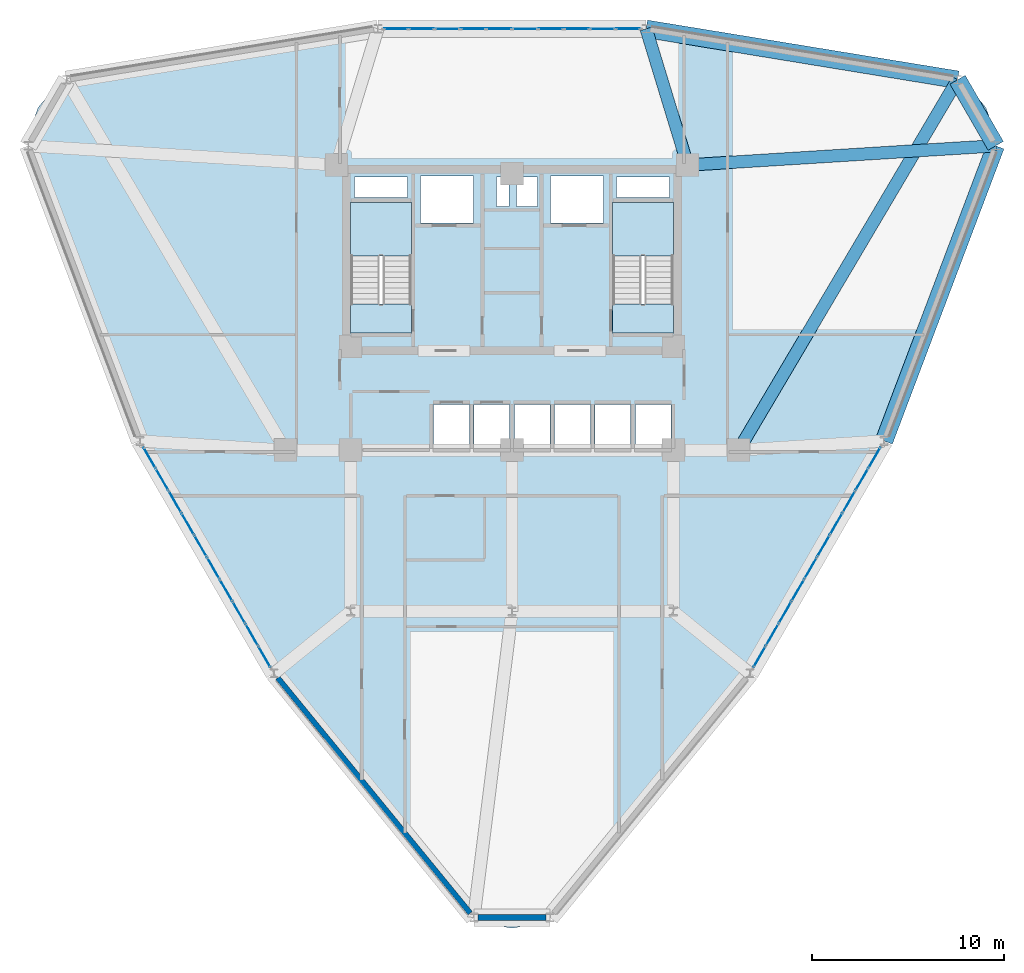
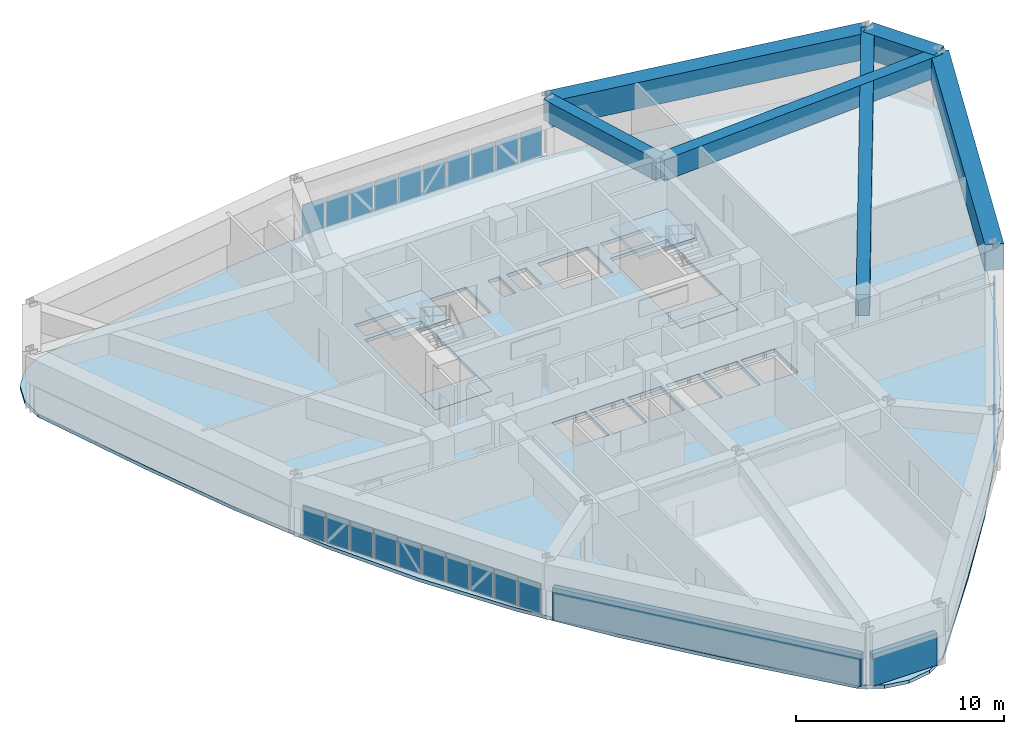
# One storey, part 9 of 15: 30 plates, 6 beams, 5 slabs, 2 walls, 5 elements without a shape of their own.
"""IFC4 building model written with IfcOpenShell, lengths in metres."""

from ifc_helpers import new_model, si_unit, derived_unit, direction, frame, frame_2d, origin, origin_2d, place, context, subcontext, project, spatial, polyline, rectangle, outline, extrude, source, transform, mapped, material, layer, layer_set, material_profile, profile_set, type_object, element, aggregate, save


model = new_model("IFC4")

# Units and contexts
model_context = context("Model", 3, precision=1e-05, world=origin(), true_north=direction((0.0, 1.0)))
body_context = subcontext(model_context, "Body", "Model", "MODEL_VIEW")
ifc_project = project(units=[si_unit("LENGTHUNIT", "METRE"), si_unit("AREAUNIT", "SQUARE_METRE"), si_unit("VOLUMEUNIT", "CUBIC_METRE"), si_unit("PLANEANGLEUNIT", "RADIAN"), si_unit("MASSUNIT", "GRAM", prefix="KILO"), derived_unit("THERMALTRANSMITTANCEUNIT", [(si_unit("POWERUNIT", "WATT"), 1), (si_unit("LENGTHUNIT", "METRE"), -2), (si_unit("THERMODYNAMICTEMPERATUREUNIT", "KELVIN"), -1)])], contexts=[model_context])

# Site, building, storey
site_placement = place(None, origin())
site = spatial("IfcSite", under=ifc_project, at=site_placement, CompositionType="ELEMENT")
building_placement = place(site_placement, origin())
building = spatial("IfcBuilding", under=site, at=building_placement, Name="Korsvarv Bourse and Concert Hall", CompositionType="ELEMENT")
storey_placement = place(building_placement, frame((0.0, 0.0, 113.39990234375)))
storey = spatial("IfcBuildingStorey", under=building, at=storey_placement, Name="L28", CompositionType="ELEMENT", Elevation=113.39990234375)

# Beams
ifc_material_1 = material(Name="Concrete C50/60", Category="concrete")
ifc_material_profile_1 = material_profile(ifc_material_1, rectangle(XDim=0.919921875, YDim=1.530029296875, at=origin_2d()), Name="RC-BM 920x1530")
ifc_profile_set_1 = profile_set([ifc_material_profile_1], Name="Concrete C50/60")
beam_type_1 = type_object("IfcBeamType", Name="BM-TR-154", PredefinedType="BEAM", material=ifc_profile_set_1)
shared_shape_1 = source(origin(), body_context, "Body", "SweptSolid", [
    extrude(rectangle(XDim=0.919921875, YDim=1.530029296875, at=origin_2d()), origin(), (0.0, 0.0, 1.0), 3.974609375),
])
beam_1_placement = place(storey_placement, frame((61.19482421875, 48.25146484375, 2.635009765625), z_axis=(-0.499997169302, 0.866027038082, 0.0), x_axis=(-0.866027038082, -0.499997169302, 0.0)))
element("IfcBeam", 1, at=beam_1_placement, inside=storey, type_object=beam_type_1, Name="L28 beam B-TR6", PredefinedType="BEAM", context=body_context, shape_type="MappedRepresentation", body=[
    mapped(shared_shape_1, transform((0.0, 0.0, 0.0), scale=1.0)),
])
shared_shape_2 = source(origin(), body_context, "Body", "SweptSolid", [
    extrude(rectangle(XDim=0.919921875, YDim=1.530029296875, at=origin_2d()), origin(), (0.0, 0.0, 1.0), 16.4345703125),
])
beam_2_placement = place(storey_placement, frame((59.20751953125, 51.693603515625, 2.635009765625), z_axis=(-0.986905771887, 0.161297853107, 0.0), x_axis=(-0.161297853107, -0.986905771887, 0.0)))
element("IfcBeam", 2, at=beam_2_placement, inside=storey, type_object=beam_type_1, Name="L28 beam B-TR6", PredefinedType="BEAM", context=body_context, shape_type="MappedRepresentation", body=[
    mapped(shared_shape_2, transform((0.0, 0.0, 0.0), scale=1.0)),
])
shared_shape_3 = source(origin(), body_context, "Body", "SweptSolid", [
    extrude(rectangle(XDim=0.919921875, YDim=1.530029296875, at=origin_2d()), origin(), (0.0, 0.0, 1.0), 16.434814453125),
])
beam_3_placement = place(storey_placement, frame((55.380859375, 32.87939453125, 2.635009765625), z_axis=(0.353759337672, 0.935336480102, 0.0), x_axis=(-0.935336480102, 0.353759337672, 0.0)))
element("IfcBeam", 3, at=beam_3_placement, inside=storey, type_object=beam_type_1, Name="L28 beam B-TR6", PredefinedType="BEAM", context=body_context, shape_type="MappedRepresentation", body=[
    mapped(shared_shape_3, transform((0.0, 0.0, 0.0), scale=1.0)),
])
ifc_material_profile_2 = material_profile(ifc_material_1, rectangle(XDim=0.64990234375, YDim=1.239990234375, at=origin_2d()), Name="RC-BM 650x1240")
ifc_profile_set_2 = profile_set([ifc_material_profile_2], Name="Concrete C50/60")
beam_type_2 = type_object("IfcBeamType", Name="BM-TR-SPN", PredefinedType="BEAM", material=ifc_profile_set_2)
shared_shape_4 = source(origin(), body_context, "Body", "SweptSolid", [
    extrude(rectangle(XDim=0.64990234375, YDim=1.239990234375, at=origin_2d()), origin(), (0.0, 0.0, 1.0), 16.076171875),
])
beam_4_placement = place(storey_placement, frame((61.19482421875, 48.25146484375, 2.780029296875), z_axis=(-0.998057775067, -0.062295085108, 0.0), x_axis=(0.062295085108, -0.998057775067, 0.0)))
element("IfcBeam", 4, at=beam_4_placement, inside=storey, type_object=beam_type_2, Name="L28 beam B-TRS", PredefinedType="BEAM", context=body_context, shape_type="MappedRepresentation", body=[
    mapped(shared_shape_4, transform((0.0, 0.0, 0.0), scale=1.0)),
])
shared_shape_5 = source(origin(), body_context, "Body", "SweptSolid", [
    extrude(rectangle(XDim=0.64990234375, YDim=1.239990234375, at=origin_2d()), origin(), (0.0, 0.0, 1.0), 22.413818359375),
])
beam_5_placement = place(storey_placement, frame((59.20751953125, 51.693603515625, 2.780029296875), z_axis=(-0.508949112593, -0.860796608259, 0.0), x_axis=(0.860796608259, -0.508949112593, 0.0)))
element("IfcBeam", 5, at=beam_5_placement, inside=storey, type_object=beam_type_2, Name="L28 beam B-TRS", PredefinedType="BEAM", context=body_context, shape_type="MappedRepresentation", body=[
    mapped(shared_shape_5, transform((0.0, 0.0, 0.0), scale=1.0)),
])
shared_shape_6 = source(origin(), body_context, "Body", "SweptSolid", [
    extrude(rectangle(XDim=0.64990234375, YDim=1.239990234375, at=origin_2d()), origin(), (0.0, 0.0, 1.0), 7.41650390625),
])
beam_6_placement = place(storey_placement, frame((42.988037109375, 54.344482421875, 2.780029296875), z_axis=(0.291491692849, -0.956573359968, 0.0), x_axis=(0.956573359968, 0.291491692849, 0.0)))
element("IfcBeam", 6, at=beam_6_placement, inside=storey, type_object=beam_type_2, Name="L28 beam B-TRS", PredefinedType="BEAM", context=body_context, shape_type="MappedRepresentation", body=[
    mapped(shared_shape_6, transform((0.0, 0.0, 0.0), scale=1.0)),
])

# Slabs
ifc_material_2 = material(Name="Precast concrete C45/55", Category="concrete")
ifc_layer_1 = layer(ifc_material_2, 0.199951171875)
ifc_layer_set_1 = layer_set([ifc_layer_1], Name="Precast concrete C45/55")
slab_type_1 = type_object("IfcSlabType", Name="SLB-FLND-T", PredefinedType="LANDING", material=ifc_layer_set_1)
slab_1_placement = place(storey_placement, frame((0.0, 0.0, -0.199951171875)))
element("IfcSlab", 7, at=slab_1_placement, inside=storey, type_object=slab_type_1, Name="L28 Stair ST-T1 Floor Landing Slab", PredefinedType="LANDING", context=body_context, shape_type="SweptSolid", body=[
    extrude(outline(polyline([(30.760009765625, 38.5), (30.760009765625, 40.0), (27.60009765625, 40.0), (27.60009765625, 38.5), (30.760009765625, 38.5)])), origin(), (0.0, 0.0, 1.0), 0.199951171875),
])
slab_2_placement = place(storey_placement, frame((0.0, 0.0, -0.199951171875)))
element("IfcSlab", 8, at=slab_2_placement, inside=storey, type_object=slab_type_1, Name="L28 Stair ST-T2 Floor Landing Slab", PredefinedType="LANDING", context=body_context, shape_type="SweptSolid", body=[
    extrude(outline(polyline([(44.39990234375, 38.5), (44.39990234375, 40.0), (41.239990234375, 40.0), (41.239990234375, 38.5), (44.39990234375, 38.5)])), origin(), (0.0, 0.0, 1.0), 0.199951171875),
])

# Stair, slab
stair_type = type_object("IfcStairType", Name="STR-TYPE-04", PredefinedType="HALF_TURN_STAIR", material=ifc_material_2)
stair_1_placement = place(storey_placement, origin())
stair_1 = element("IfcStair", 9, at=stair_1_placement, inside=storey, type_object=stair_type, Name="L28 Tower West Exit Stair ST-T1", PredefinedType="HALF_TURN_STAIR")
ifc_layer_2 = layer(ifc_material_2, 0.199951171875)
ifc_layer_set_2 = layer_set([ifc_layer_2], Name="Precast concrete C45/55")
slab_type_2 = type_object("IfcSlabType", Name="SLB-ST-LND", PredefinedType="LANDING", material=ifc_layer_set_2)
slab_3_placement = place(storey_placement, frame((0.0, 0.0, 1.60009765625)))
slab_3 = element("IfcSlab", 10, at=slab_3_placement, type_object=slab_type_2, Name="ST-T1 landing 1", PredefinedType="LANDING", context=body_context, shape_type="SweptSolid", body=[
    extrude(outline(polyline([(30.760009765625, 42.52001953125), (30.760009765625, 45.300048828125), (27.60009765625, 45.300048828125), (27.60009765625, 42.52001953125), (30.760009765625, 42.52001953125)])), origin(), (0.0, 0.0, 1.0), 0.199951171875),
])
aggregate(stair_1, [slab_3])

stair_2_placement = place(storey_placement, origin())
stair_2 = element("IfcStair", 11, at=stair_2_placement, inside=storey, type_object=stair_type, Name="L28 Tower East Exit Stair ST-T2", PredefinedType="HALF_TURN_STAIR")
slab_4_placement = place(storey_placement, frame((0.0, 0.0, 1.60009765625)))
slab_4 = element("IfcSlab", 12, at=slab_4_placement, type_object=slab_type_2, Name="ST-T2 landing 1", PredefinedType="LANDING", context=body_context, shape_type="SweptSolid", body=[
    extrude(outline(polyline([(44.39990234375, 42.52001953125), (44.39990234375, 45.300048828125), (41.239990234375, 45.300048828125), (41.239990234375, 42.52001953125), (44.39990234375, 42.52001953125)])), origin(), (0.0, 0.0, 1.0), 0.199951171875),
])
aggregate(stair_2, [slab_4])

# Slab
ifc_material_3 = material(Name="Concrete C45/55", Category="concrete")
ifc_layer_3 = layer(ifc_material_3, 0.199951171875)
ifc_layer_set_3 = layer_set([ifc_layer_3], Name="Concrete C45/55")
slab_type_3 = type_object("IfcSlabType", Name="SLB-TW2", PredefinedType="FLOOR", material=ifc_layer_set_3)
slab_5_placement = place(storey_placement, frame((0.0, 0.0, -0.199951171875)))
element("IfcSlab", 13, at=slab_5_placement, inside=storey, type_object=slab_type_3, Name="L28 tower structural floor slab", PredefinedType="FLOOR", context=body_context, shape_type="SweptSolid", body=[
    extrude(outline(polyline([(60.62451171875, 46.426025390625), (58.7880859375, 41.29345703125), (56.8310546875, 36.255859375), (54.64453125, 31.371337890625), (52.154296875, 26.67333984375), (49.330810546875, 22.167724609375), (46.19384765625, 17.831787109375), (42.809814453125, 13.6181640625), (39.283203125, 9.461669921875), (39.280029296875, 9.4580078125), (38.3603515625, 8.362060546875), (37.256103515625, 7.724609375), (36.0, 7.5029296875), (34.743896484375, 7.724609375), (33.6396484375, 8.362060546875), (32.719970703125, 9.4580078125), (32.716796875, 9.461669921875), (29.190185546875, 13.6181640625), (25.80615234375, 17.831787109375), (22.669189453125, 22.167724609375), (19.845703125, 26.67333984375), (17.35546875, 31.371337890625), (15.1689453125, 36.255859375), (13.2119140625, 41.29345703125), (11.37548828125, 46.426025390625), (11.373779296875, 46.430419921875), (10.884765625, 47.77490234375), (10.884765625, 49.050048828125), (11.32080078125, 50.24853515625), (12.140625, 51.2255859375), (13.2451171875, 51.863037109375), (14.65380859375, 52.111572265625), (14.65869140625, 52.1123046875), (20.021728515625, 53.08837890625), (25.36279296875, 53.912353515625), (30.686279296875, 54.4609375), (36.0, 54.6533203125), (41.313720703125, 54.4609375), (46.63720703125, 53.912353515625), (51.978271484375, 53.08837890625), (57.34130859375, 52.1123046875), (57.34619140625, 52.111572265625), (58.7548828125, 51.863037109375), (59.859375, 51.2255859375), (60.67919921875, 50.24853515625), (61.115234375, 49.050048828125), (61.115234375, 47.77490234375), (60.626220703125, 46.430419921875), (60.62451171875, 46.426025390625)]), holes=[polyline([(30.760009765625, 38.5), (30.760009765625, 45.300048828125), (27.60009765625, 45.300048828125), (27.60009765625, 38.5), (30.760009765625, 38.5)]), polyline([(44.39990234375, 38.5), (44.39990234375, 45.300048828125), (41.239990234375, 45.300048828125), (41.239990234375, 38.5), (44.39990234375, 38.5)]), polyline([(31.239990234375, 44.219970703125), (34.0, 44.219970703125), (34.0, 46.679931640625), (31.239990234375, 46.679931640625), (31.239990234375, 44.219970703125)]), polyline([(38.0, 44.219970703125), (40.760009765625, 44.219970703125), (40.760009765625, 46.679931640625), (38.0, 46.679931640625), (38.0, 44.219970703125)]), polyline([(31.919921875, 32.52001953125), (33.780029296875, 32.52001953125), (33.780029296875, 34.780029296875), (31.919921875, 34.780029296875), (31.919921875, 32.52001953125)]), polyline([(34.02001953125, 32.52001953125), (35.8798828125, 32.52001953125), (35.8798828125, 34.780029296875), (34.02001953125, 34.780029296875), (34.02001953125, 32.52001953125)]), polyline([(36.1201171875, 32.52001953125), (37.97998046875, 32.52001953125), (37.97998046875, 34.780029296875), (36.1201171875, 34.780029296875), (36.1201171875, 32.52001953125)]), polyline([(38.219970703125, 32.52001953125), (40.080078125, 32.52001953125), (40.080078125, 34.780029296875), (38.219970703125, 34.780029296875), (38.219970703125, 32.52001953125)]), polyline([(40.320068359375, 32.52001953125), (42.179931640625, 32.52001953125), (42.179931640625, 34.780029296875), (40.320068359375, 34.780029296875), (40.320068359375, 32.52001953125)]), polyline([(42.419921875, 32.52001953125), (44.280029296875, 32.52001953125), (44.280029296875, 34.780029296875), (42.419921875, 34.780029296875), (42.419921875, 32.52001953125)]), polyline([(27.800048828125, 45.56005859375), (30.56005859375, 45.56005859375), (30.56005859375, 46.6201171875), (27.800048828125, 46.6201171875), (27.800048828125, 45.56005859375)]), polyline([(41.43994140625, 45.56005859375), (44.199951171875, 45.56005859375), (44.199951171875, 46.6201171875), (41.43994140625, 46.6201171875), (41.43994140625, 45.56005859375)]), polyline([(35.199951171875, 45.080078125), (35.840087890625, 45.080078125), (35.840087890625, 46.6201171875), (35.199951171875, 46.6201171875), (35.199951171875, 45.080078125)]), polyline([(36.239990234375, 45.080078125), (37.320068359375, 45.080078125), (37.320068359375, 46.6201171875), (36.239990234375, 46.6201171875), (36.239990234375, 45.080078125)])]), origin(), (0.0, 0.0, 1.0), 0.199951171875),
])

# Curtain wall, plates
ifc_material_4 = material(Name="Anodised aluminium and triple low-E glazing", Category="glass")
ifc_layer_4 = layer(ifc_material_4, 0.2099609375)
ifc_layer_set_4 = layer_set([ifc_layer_4], Name="Anodised aluminium and triple low-E glazing")
curtain_wall_type = type_object("IfcCurtainWallType", Name="CW-SYS-2", PredefinedType="NOTDEFINED", material=ifc_layer_set_4)
curtain_wall_1_placement = place(storey_placement, origin())
curtain_wall_1 = element("IfcCurtainWall", 14, at=curtain_wall_1_placement, inside=storey, type_object=curtain_wall_type, Name="L28 CW2 curtain wall CW-L28-F03", PredefinedType="NOTDEFINED")
ifc_material_5 = material(Name="Tempered triple insulated low-E architectural glass", Category="glass")
ifc_layer_5 = layer(ifc_material_5, 0.0380859375)
ifc_layer_set_5 = layer_set([ifc_layer_5], Name="Tempered triple insulated low-E architectural glass")
plate_type_1 = type_object("IfcPlateType", Name="CWP-VIS2", PredefinedType="CURTAIN_PANEL", material=ifc_layer_set_5)
shared_shape_7 = source(origin(), body_context, "Body", "SweptSolid", [
    extrude(rectangle(XDim=1.24072265625, YDim=0.0380859375, at=origin_2d()), origin(), (0.0, 0.0, 1.0), 1.739990234375),
])
plate_1_placement = place(storey_placement, frame((42.03857421875, 54.344482421875, 0.06494140625), z_axis=(0.0, 0.0, 1.0), x_axis=(-1.0, 0.0, 0.0)))
plate_1 = element("IfcPlate", 15, at=plate_1_placement, type_object=plate_type_1, Name="CW2 faceted panel 1.1", PredefinedType="CURTAIN_PANEL", context=body_context, shape_type="MappedRepresentation", body=[
    mapped(shared_shape_7, transform((0.0, 0.0, 0.0), scale=1.0)),
])
plate_2_placement = place(storey_placement, frame((29.96142578125, 54.344482421875, 0.06494140625), z_axis=(0.0, 0.0, 1.0), x_axis=(-1.0, 0.0, 0.0)))
plate_2 = element("IfcPlate", 16, at=plate_2_placement, type_object=plate_type_1, Name="CW2 faceted panel 10.1", PredefinedType="CURTAIN_PANEL", context=body_context, shape_type="MappedRepresentation", body=[
    mapped(shared_shape_7, transform((0.0, 0.0, 0.0), scale=1.0)),
])
ifc_material_6 = material(Name="Insulated spandrel glass", Category="glass")
ifc_layer_6 = layer(ifc_material_6, 0.031982421875)
ifc_layer_set_6 = layer_set([ifc_layer_6], Name="Insulated spandrel glass")
plate_type_2 = type_object("IfcPlateType", Name="CWP-SPD1", PredefinedType="CURTAIN_PANEL", material=ifc_layer_set_6)
shared_shape_8 = source(origin(), body_context, "Body", "SweptSolid", [
    extrude(rectangle(XDim=1.27587890625, YDim=0.031982421875, at=origin_2d()), origin(), (0.0, 0.0, 1.0), 1.739990234375),
])
plate_3_placement = place(storey_placement, frame((40.710205078125, 54.344482421875, 0.06494140625), z_axis=(0.0, 0.0, 1.0), x_axis=(-1.0, 0.0, 0.0)))
plate_3 = element("IfcPlate", 17, at=plate_3_placement, type_object=plate_type_2, Name="CW2 spandrel shadow-box panel 2.1", PredefinedType="CURTAIN_PANEL", context=body_context, shape_type="MappedRepresentation", body=[
    mapped(shared_shape_8, transform((0.0, 0.0, 0.0), scale=1.0)),
])
plate_4_placement = place(storey_placement, frame((36.6728515625, 54.344482421875, 0.06494140625), z_axis=(0.0, 0.0, 1.0), x_axis=(-1.0, 0.0, 0.0)))
plate_4 = element("IfcPlate", 18, at=plate_4_placement, type_object=plate_type_2, Name="CW2 spandrel shadow-box panel 5.1", PredefinedType="CURTAIN_PANEL", context=body_context, shape_type="MappedRepresentation", body=[
    mapped(shared_shape_8, transform((0.0, 0.0, 0.0), scale=1.0)),
])
plate_5_placement = place(storey_placement, frame((32.635498046875, 54.344482421875, 0.06494140625), z_axis=(0.0, 0.0, 1.0), x_axis=(-1.0, 0.0, 0.0)))
plate_5 = element("IfcPlate", 19, at=plate_5_placement, type_object=plate_type_2, Name="CW2 spandrel shadow-box panel 8.1", PredefinedType="CURTAIN_PANEL", context=body_context, shape_type="MappedRepresentation", body=[
    mapped(shared_shape_8, transform((0.0, 0.0, 0.0), scale=1.0)),
])
shared_shape_9 = source(origin(), body_context, "Body", "SweptSolid", [
    extrude(rectangle(XDim=1.27587890625, YDim=0.0380859375, at=origin_2d()), origin(), (0.0, 0.0, 1.0), 1.739990234375),
])
plate_6_placement = place(storey_placement, frame((39.364501953125, 54.344482421875, 0.06494140625), z_axis=(0.0, 0.0, 1.0), x_axis=(-1.0, 0.0, 0.0)))
plate_6 = element("IfcPlate", 20, at=plate_6_placement, type_object=plate_type_1, Name="CW2 faceted panel 3.1", PredefinedType="CURTAIN_PANEL", context=body_context, shape_type="MappedRepresentation", body=[
    mapped(shared_shape_9, transform((0.0, 0.0, 0.0), scale=1.0)),
])
plate_7_placement = place(storey_placement, frame((38.018798828125, 54.344482421875, 0.06494140625), z_axis=(0.0, 0.0, 1.0), x_axis=(-1.0, 0.0, 0.0)))
plate_7 = element("IfcPlate", 21, at=plate_7_placement, type_object=plate_type_1, Name="CW2 faceted panel 4.1", PredefinedType="CURTAIN_PANEL", context=body_context, shape_type="MappedRepresentation", body=[
    mapped(shared_shape_9, transform((0.0, 0.0, 0.0), scale=1.0)),
])
plate_8_placement = place(storey_placement, frame((35.3271484375, 54.344482421875, 0.06494140625), z_axis=(0.0, 0.0, 1.0), x_axis=(-1.0, 0.0, 0.0)))
plate_8 = element("IfcPlate", 22, at=plate_8_placement, type_object=plate_type_1, Name="CW2 faceted panel 6.1", PredefinedType="CURTAIN_PANEL", context=body_context, shape_type="MappedRepresentation", body=[
    mapped(shared_shape_9, transform((0.0, 0.0, 0.0), scale=1.0)),
])
plate_9_placement = place(storey_placement, frame((33.981201171875, 54.344482421875, 0.06494140625), z_axis=(0.0, 0.0, 1.0), x_axis=(-1.0, 0.0, 0.0)))
plate_9 = element("IfcPlate", 23, at=plate_9_placement, type_object=plate_type_1, Name="CW2 faceted panel 7.1", PredefinedType="CURTAIN_PANEL", context=body_context, shape_type="MappedRepresentation", body=[
    mapped(shared_shape_9, transform((0.0, 0.0, 0.0), scale=1.0)),
])
plate_10_placement = place(storey_placement, frame((31.289794921875, 54.344482421875, 0.06494140625), z_axis=(0.0, 0.0, 1.0), x_axis=(-1.0, 0.0, 0.0)))
plate_10 = element("IfcPlate", 24, at=plate_10_placement, type_object=plate_type_1, Name="CW2 faceted panel 9.1", PredefinedType="CURTAIN_PANEL", context=body_context, shape_type="MappedRepresentation", body=[
    mapped(shared_shape_9, transform((0.0, 0.0, 0.0), scale=1.0)),
])
aggregate(curtain_wall_1, [plate_1, plate_3, plate_6, plate_7, plate_4, plate_8, plate_9, plate_5, plate_10, plate_2])

curtain_wall_2_placement = place(storey_placement, origin())
curtain_wall_2 = element("IfcCurtainWall", 25, at=curtain_wall_2_placement, inside=storey, type_object=curtain_wall_type, Name="L28 CW2 curtain wall CW-L28-F07", PredefinedType="NOTDEFINED")
shared_shape_10 = source(origin(), body_context, "Body", "SweptSolid", [
    extrude(rectangle(XDim=1.228515625, YDim=0.0380859375, at=origin_2d()), origin(), (0.0, 0.0, 1.0), 1.739990234375),
])
plate_11_placement = place(storey_placement, frame((17.121337890625, 32.009521484375, 0.06494140625), z_axis=(0.0, 0.0, 1.0), x_axis=(0.500006337402, -0.866021744853, 0.0)))
plate_11 = element("IfcPlate", 26, at=plate_11_placement, type_object=plate_type_1, Name="CW2 faceted panel 1.1", PredefinedType="CURTAIN_PANEL", context=body_context, shape_type="MappedRepresentation", body=[
    mapped(shared_shape_10, transform((0.0, 0.0, 0.0), scale=1.0)),
])
plate_12_placement = place(storey_placement, frame((23.10498046875, 21.64599609375, 0.06494140625), z_axis=(0.0, 0.0, 1.0), x_axis=(0.500006337402, -0.866021744853, 0.0)))
plate_12 = element("IfcPlate", 27, at=plate_12_placement, type_object=plate_type_1, Name="CW2 faceted panel 10.1", PredefinedType="CURTAIN_PANEL", context=body_context, shape_type="MappedRepresentation", body=[
    mapped(shared_shape_10, transform((0.0, 0.0, 0.0), scale=1.0)),
])

curtain_wall_3_placement = place(storey_placement, origin())
curtain_wall_3 = element("IfcCurtainWall", 28, at=curtain_wall_3_placement, inside=storey, type_object=curtain_wall_type, Name="L28 CW2 curtain wall CW-L28-F11", PredefinedType="NOTDEFINED")
plate_13_placement = place(storey_placement, frame((48.89501953125, 21.64599609375, 0.06494140625), z_axis=(0.0, 0.0, 1.0), x_axis=(0.500006337402, 0.866021744853, 0.0)))
plate_13 = element("IfcPlate", 29, at=plate_13_placement, type_object=plate_type_1, Name="CW2 faceted panel 1.1", PredefinedType="CURTAIN_PANEL", context=body_context, shape_type="MappedRepresentation", body=[
    mapped(shared_shape_10, transform((0.0, 0.0, 0.0), scale=1.0)),
])
plate_14_placement = place(storey_placement, frame((54.878662109375, 32.009521484375, 0.06494140625), z_axis=(0.0, 0.0, 1.0), x_axis=(0.500006337402, 0.866021744853, 0.0)))
plate_14 = element("IfcPlate", 30, at=plate_14_placement, type_object=plate_type_1, Name="CW2 faceted panel 10.1", PredefinedType="CURTAIN_PANEL", context=body_context, shape_type="MappedRepresentation", body=[
    mapped(shared_shape_10, transform((0.0, 0.0, 0.0), scale=1.0)),
])

# Plate
shared_shape_11 = source(origin(), body_context, "Body", "SweptSolid", [
    extrude(rectangle(XDim=1.263427734375, YDim=0.031982421875, at=origin_2d()), origin(), (0.0, 0.0, 1.0), 1.739990234375),
])
plate_15_placement = place(storey_placement, frame((17.779541015625, 30.86962890625, 0.06494140625), z_axis=(0.0, 0.0, 1.0), x_axis=(0.500006337402, -0.866021744853, 0.0)))
plate_15 = element("IfcPlate", 31, at=plate_15_placement, type_object=plate_type_2, Name="CW2 spandrel shadow-box panel 2.1", PredefinedType="CURTAIN_PANEL", context=body_context, shape_type="MappedRepresentation", body=[
    mapped(shared_shape_11, transform((0.0, 0.0, 0.0), scale=1.0)),
])

plate_16_placement = place(storey_placement, frame((19.77978515625, 27.405029296875, 0.06494140625), z_axis=(0.0, 0.0, 1.0), x_axis=(0.500006337402, -0.866021744853, 0.0)))
plate_16 = element("IfcPlate", 32, at=plate_16_placement, type_object=plate_type_2, Name="CW2 spandrel shadow-box panel 5.1", PredefinedType="CURTAIN_PANEL", context=body_context, shape_type="MappedRepresentation", body=[
    mapped(shared_shape_11, transform((0.0, 0.0, 0.0), scale=1.0)),
])

plate_17_placement = place(storey_placement, frame((21.780029296875, 23.9404296875, 0.06494140625), z_axis=(0.0, 0.0, 1.0), x_axis=(0.500006337402, -0.866021744853, 0.0)))
plate_17 = element("IfcPlate", 33, at=plate_17_placement, type_object=plate_type_2, Name="CW2 spandrel shadow-box panel 8.1", PredefinedType="CURTAIN_PANEL", context=body_context, shape_type="MappedRepresentation", body=[
    mapped(shared_shape_11, transform((0.0, 0.0, 0.0), scale=1.0)),
])

plate_18_placement = place(storey_placement, frame((49.55322265625, 22.78564453125, 0.06494140625), z_axis=(0.0, 0.0, 1.0), x_axis=(0.500006337402, 0.866021744853, 0.0)))
plate_18 = element("IfcPlate", 34, at=plate_18_placement, type_object=plate_type_2, Name="CW2 spandrel shadow-box panel 2.1", PredefinedType="CURTAIN_PANEL", context=body_context, shape_type="MappedRepresentation", body=[
    mapped(shared_shape_11, transform((0.0, 0.0, 0.0), scale=1.0)),
])

plate_19_placement = place(storey_placement, frame((51.553466796875, 26.250244140625, 0.06494140625), z_axis=(0.0, 0.0, 1.0), x_axis=(0.500006337402, 0.866021744853, 0.0)))
plate_19 = element("IfcPlate", 35, at=plate_19_placement, type_object=plate_type_2, Name="CW2 spandrel shadow-box panel 5.1", PredefinedType="CURTAIN_PANEL", context=body_context, shape_type="MappedRepresentation", body=[
    mapped(shared_shape_11, transform((0.0, 0.0, 0.0), scale=1.0)),
])

plate_20_placement = place(storey_placement, frame((53.5537109375, 29.71484375, 0.06494140625), z_axis=(0.0, 0.0, 1.0), x_axis=(0.500006337402, 0.866021744853, 0.0)))
plate_20 = element("IfcPlate", 36, at=plate_20_placement, type_object=plate_type_2, Name="CW2 spandrel shadow-box panel 8.1", PredefinedType="CURTAIN_PANEL", context=body_context, shape_type="MappedRepresentation", body=[
    mapped(shared_shape_11, transform((0.0, 0.0, 0.0), scale=1.0)),
])

shared_shape_12 = source(origin(), body_context, "Body", "SweptSolid", [
    extrude(rectangle(XDim=1.263427734375, YDim=0.0380859375, at=origin_2d()), origin(), (0.0, 0.0, 1.0), 1.739990234375),
])
plate_21_placement = place(storey_placement, frame((18.4462890625, 29.71484375, 0.06494140625), z_axis=(0.0, 0.0, 1.0), x_axis=(0.500006337402, -0.866021744853, 0.0)))
plate_21 = element("IfcPlate", 37, at=plate_21_placement, type_object=plate_type_1, Name="CW2 faceted panel 3.1", PredefinedType="CURTAIN_PANEL", context=body_context, shape_type="MappedRepresentation", body=[
    mapped(shared_shape_12, transform((0.0, 0.0, 0.0), scale=1.0)),
])

plate_22_placement = place(storey_placement, frame((19.113037109375, 28.56005859375, 0.06494140625), z_axis=(0.0, 0.0, 1.0), x_axis=(0.500006337402, -0.866021744853, 0.0)))
plate_22 = element("IfcPlate", 38, at=plate_22_placement, type_object=plate_type_1, Name="CW2 faceted panel 4.1", PredefinedType="CURTAIN_PANEL", context=body_context, shape_type="MappedRepresentation", body=[
    mapped(shared_shape_12, transform((0.0, 0.0, 0.0), scale=1.0)),
])

plate_23_placement = place(storey_placement, frame((20.446533203125, 26.250244140625, 0.06494140625), z_axis=(0.0, 0.0, 1.0), x_axis=(0.500006337402, -0.866021744853, 0.0)))
plate_23 = element("IfcPlate", 39, at=plate_23_placement, type_object=plate_type_1, Name="CW2 faceted panel 6.1", PredefinedType="CURTAIN_PANEL", context=body_context, shape_type="MappedRepresentation", body=[
    mapped(shared_shape_12, transform((0.0, 0.0, 0.0), scale=1.0)),
])

plate_24_placement = place(storey_placement, frame((21.11328125, 25.095458984375, 0.06494140625), z_axis=(0.0, 0.0, 1.0), x_axis=(0.500006337402, -0.866021744853, 0.0)))
plate_24 = element("IfcPlate", 40, at=plate_24_placement, type_object=plate_type_1, Name="CW2 faceted panel 7.1", PredefinedType="CURTAIN_PANEL", context=body_context, shape_type="MappedRepresentation", body=[
    mapped(shared_shape_12, transform((0.0, 0.0, 0.0), scale=1.0)),
])

plate_25_placement = place(storey_placement, frame((22.44677734375, 22.78564453125, 0.06494140625), z_axis=(0.0, 0.0, 1.0), x_axis=(0.500006337402, -0.866021744853, 0.0)))
plate_25 = element("IfcPlate", 41, at=plate_25_placement, type_object=plate_type_1, Name="CW2 faceted panel 9.1", PredefinedType="CURTAIN_PANEL", context=body_context, shape_type="MappedRepresentation", body=[
    mapped(shared_shape_12, transform((0.0, 0.0, 0.0), scale=1.0)),
])

aggregate(curtain_wall_2, [plate_11, plate_15, plate_21, plate_22, plate_16, plate_23, plate_24, plate_17, plate_25, plate_12])

plate_26_placement = place(storey_placement, frame((50.219970703125, 23.9404296875, 0.06494140625), z_axis=(0.0, 0.0, 1.0), x_axis=(0.500006337402, 0.866021744853, 0.0)))
plate_26 = element("IfcPlate", 42, at=plate_26_placement, type_object=plate_type_1, Name="CW2 faceted panel 3.1", PredefinedType="CURTAIN_PANEL", context=body_context, shape_type="MappedRepresentation", body=[
    mapped(shared_shape_12, transform((0.0, 0.0, 0.0), scale=1.0)),
])

plate_27_placement = place(storey_placement, frame((50.88671875, 25.095458984375, 0.06494140625), z_axis=(0.0, 0.0, 1.0), x_axis=(0.500006337402, 0.866021744853, 0.0)))
plate_27 = element("IfcPlate", 43, at=plate_27_placement, type_object=plate_type_1, Name="CW2 faceted panel 4.1", PredefinedType="CURTAIN_PANEL", context=body_context, shape_type="MappedRepresentation", body=[
    mapped(shared_shape_12, transform((0.0, 0.0, 0.0), scale=1.0)),
])

plate_28_placement = place(storey_placement, frame((52.22021484375, 27.405029296875, 0.06494140625), z_axis=(0.0, 0.0, 1.0), x_axis=(0.500006337402, 0.866021744853, 0.0)))
plate_28 = element("IfcPlate", 44, at=plate_28_placement, type_object=plate_type_1, Name="CW2 faceted panel 6.1", PredefinedType="CURTAIN_PANEL", context=body_context, shape_type="MappedRepresentation", body=[
    mapped(shared_shape_12, transform((0.0, 0.0, 0.0), scale=1.0)),
])

plate_29_placement = place(storey_placement, frame((52.886962890625, 28.56005859375, 0.06494140625), z_axis=(0.0, 0.0, 1.0), x_axis=(0.500006337402, 0.866021744853, 0.0)))
plate_29 = element("IfcPlate", 45, at=plate_29_placement, type_object=plate_type_1, Name="CW2 faceted panel 7.1", PredefinedType="CURTAIN_PANEL", context=body_context, shape_type="MappedRepresentation", body=[
    mapped(shared_shape_12, transform((0.0, 0.0, 0.0), scale=1.0)),
])

plate_30_placement = place(storey_placement, frame((54.220458984375, 30.86962890625, 0.06494140625), z_axis=(0.0, 0.0, 1.0), x_axis=(0.500006337402, 0.866021744853, 0.0)))
plate_30 = element("IfcPlate", 46, at=plate_30_placement, type_object=plate_type_1, Name="CW2 faceted panel 9.1", PredefinedType="CURTAIN_PANEL", context=body_context, shape_type="MappedRepresentation", body=[
    mapped(shared_shape_12, transform((0.0, 0.0, 0.0), scale=1.0)),
])

aggregate(curtain_wall_3, [plate_13, plate_18, plate_26, plate_27, plate_19, plate_28, plate_29, plate_20, plate_30, plate_14])

# Walls
ifc_material_7 = material(Name="Precast concrete C45/55 with terracotta rainscreen", Category="concrete")
ifc_layer_7 = layer(ifc_material_7, 0.300048828125)
ifc_layer_set_7 = layer_set([ifc_layer_7], Name="Precast concrete C45/55 with terracotta rainscreen")
wall_type_1 = type_object("IfcWallType", Name="WL-EXT-TC1", PredefinedType="SOLIDWALL", material=ifc_layer_set_7)
wall_1_placement = place(storey_placement, frame((34.2265625, 8.054931640625, 0.0), z_axis=(0.0, 0.0, 1.0), x_axis=(1.0, 0.0, 0.0)))
element("IfcWall", 47, at=wall_1_placement, inside=storey, type_object=wall_type_1, Name="L28 terracotta exterior wall EW-L28-B09", PredefinedType="SOLIDWALL", context=body_context, shape_type="SweptSolid", body=[
    extrude(rectangle(XDim=3.546875, YDim=0.300048828125, at=frame_2d((1.7734375, 0.0))), origin(), (0.0, 0.0, 1.0), 1.8701171875),
])
ifc_material_8 = material(Name="Precast concrete C45/55 with fluted terracotta pier", Category="concrete")
ifc_layer_8 = layer(ifc_material_8, 0.280029296875)
ifc_layer_set_8 = layer_set([ifc_layer_8], Name="Precast concrete C45/55 with fluted terracotta pier")
wall_type_2 = type_object("IfcWallType", Name="WL-EXT-TC2", PredefinedType="SOLIDWALL", material=ifc_layer_set_8)
wall_2_placement = place(storey_placement, frame((23.79736328125, 20.54345703125, 0.0), z_axis=(0.0, 0.0, 1.0), x_axis=(0.633140387555, -0.774036982092, 0.0)))
element("IfcWall", 48, at=wall_2_placement, inside=storey, type_object=wall_type_2, Name="L28 terracotta exterior wall EW-L28-B08", PredefinedType="SOLIDWALL", context=body_context, shape_type="SweptSolid", body=[
    extrude(rectangle(XDim=15.833984375, YDim=0.280029296875, at=frame_2d((7.9169921875, 0.0))), origin(), (0.0, 0.0, 1.0), 1.8701171875),
])

save(model, "model.ifc")
